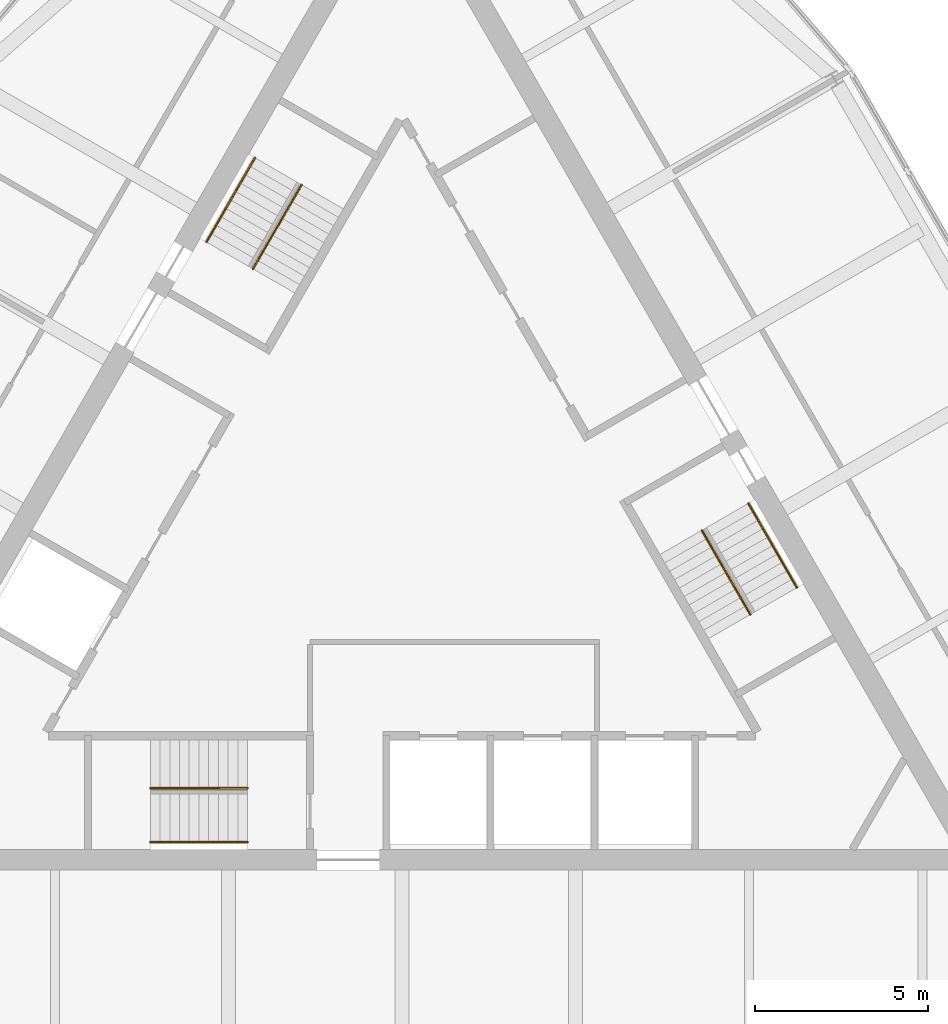
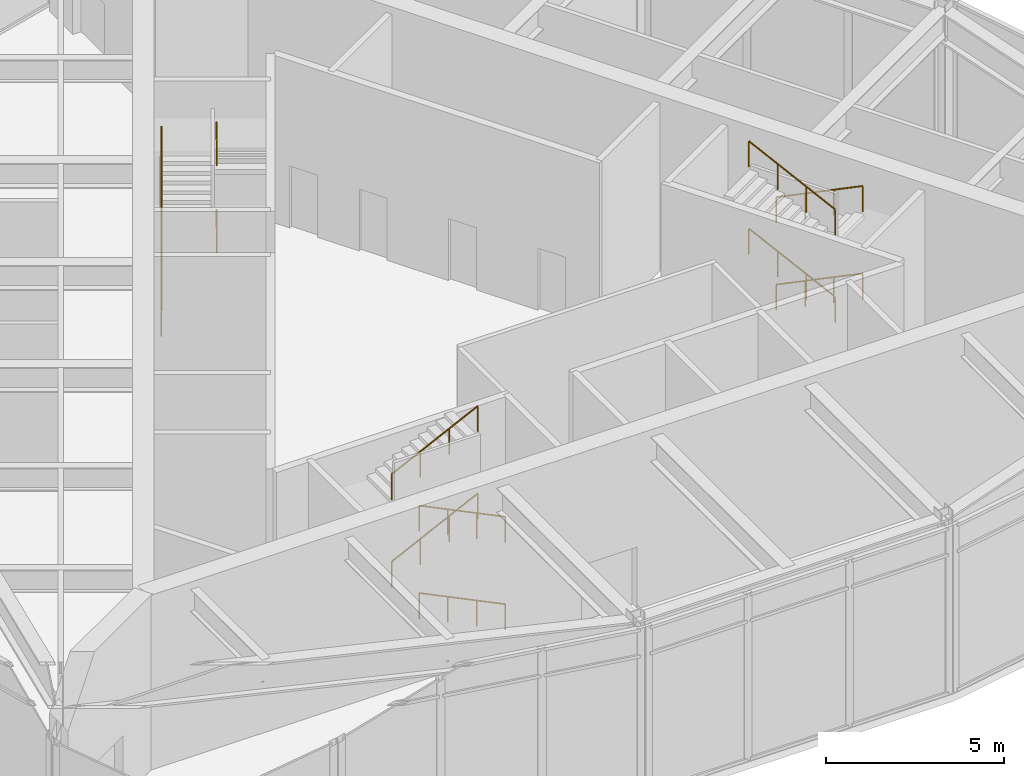
# One storey, part 9 of 9: 12 railings.
"""IFC4 building model written with IfcOpenShell, lengths in metres."""

from ifc_helpers import new_model, si_unit, direction, frame, origin, origin_2d, place, context, subcontext, project, spatial, circle, extrude, material, type_object, element, save


model = new_model("IFC4")

# Units and contexts
model_context = context("Model", 3, precision=1e-05, world=origin(), true_north=direction((0.0, 1.0)))
body_context = subcontext(model_context, "Body", "Model", "MODEL_VIEW")
ifc_project = project(units=[si_unit("LENGTHUNIT", "METRE"), si_unit("AREAUNIT", "SQUARE_METRE"), si_unit("VOLUMEUNIT", "CUBIC_METRE"), si_unit("PLANEANGLEUNIT", "RADIAN"), si_unit("MASSUNIT", "GRAM", prefix="KILO")], contexts=[model_context])

# Site, building, storey
site_placement = place(None, origin())
site = spatial("IfcSite", under=ifc_project, at=site_placement, CompositionType="ELEMENT")
building_placement = place(site_placement, origin())
building = spatial("IfcBuilding", under=site, at=building_placement, Name="Trikona Tower", CompositionType="ELEMENT")
storey_placement = place(building_placement, frame((0.0, 0.0, 286.800048828125)))
storey = spatial("IfcBuildingStorey", under=building, at=storey_placement, Name="L75", CompositionType="ELEMENT", Elevation=286.800048828125)

# Railings
ifc_material = material(Name="Stainless steel handrail", Category="steel")
railing_type = type_object("IfcRailingType", Name="Stair handrail", PredefinedType="HANDRAIL", material=ifc_material)
railing_1_placement = place(storey_placement, frame((-4.449951171875, -9.016357421875, 0.13623046875)))
element("IfcRailing", 1, at=railing_1_placement, inside=storey, type_object=railing_type, Name="Stair handrail A L75 1", PredefinedType="HANDRAIL", context=body_context, shape_type="SweptSolid", body=[
    extrude(circle(Radius=0.02392578125, at=origin_2d()), frame((0.0, 0.0, 0.8759765625), z_axis=(-0.899034972723, 0.0, 0.437876829508), x_axis=(0.0, -1.0, 0.0)), (0.0, 0.0, 1.0), 3.114501953125),
    extrude(circle(Radius=0.02099609375, at=origin_2d()), origin(), (0.0, 0.0, 1.0), 0.851806640625),
    extrude(circle(Radius=0.02099609375, at=origin_2d()), frame((-0.933349609375, 0.0, 0.45458984375)), (0.0, 0.0, 1.0), 0.851806640625),
    extrude(circle(Radius=0.02099609375, at=origin_2d()), frame((-1.86669921875, 0.0, 0.9091796875)), (0.0, 0.0, 1.0), 0.851806640625),
    extrude(circle(Radius=0.02099609375, at=origin_2d()), frame((-2.800048828125, 0.0, 1.36376953125)), (0.0, 0.0, 1.0), 0.851806640625),
])
railing_2_placement = place(storey_placement, frame((-7.25, -7.46630859375, 1.63623046875)))
element("IfcRailing", 2, at=railing_2_placement, inside=storey, type_object=railing_type, Name="Stair handrail A L75 2", PredefinedType="HANDRAIL", context=body_context, shape_type="SweptSolid", body=[
    extrude(circle(Radius=0.02392578125, at=origin_2d()), frame((0.0, 0.0, 0.8759765625), z_axis=(0.899034972723, 0.0, 0.437876829508), x_axis=(0.0, 1.0, 0.0)), (0.0, 0.0, 1.0), 3.114501953125),
    extrude(circle(Radius=0.02099609375, at=origin_2d()), origin(), (0.0, 0.0, 1.0), 0.851806640625),
    extrude(circle(Radius=0.02099609375, at=origin_2d()), frame((0.933349609375, 0.0, 0.45458984375)), (0.0, 0.0, 1.0), 0.851806640625),
    extrude(circle(Radius=0.02099609375, at=origin_2d()), frame((1.86669921875, 0.0, 0.9091796875)), (0.0, 0.0, 1.0), 0.851806640625),
    extrude(circle(Radius=0.02099609375, at=origin_2d()), frame((2.800048828125, 0.0, 1.36376953125)), (0.0, 0.0, 1.0), 0.851806640625),
])
railing_3_placement = place(storey_placement, frame((-4.449951171875, -9.016357421875, 3.13623046875)))
element("IfcRailing", 3, at=railing_3_placement, inside=storey, type_object=railing_type, Name="Stair handrail A L75 3", PredefinedType="HANDRAIL", context=body_context, shape_type="SweptSolid", body=[
    extrude(circle(Radius=0.02392578125, at=origin_2d()), frame((0.0, 0.0, 0.8759765625), z_axis=(-0.899034972723, 0.0, 0.437876829508), x_axis=(0.0, -1.0, 0.0)), (0.0, 0.0, 1.0), 3.114501953125),
    extrude(circle(Radius=0.02099609375, at=origin_2d()), origin(), (0.0, 0.0, 1.0), 0.851806640625),
    extrude(circle(Radius=0.02099609375, at=origin_2d()), frame((-0.933349609375, 0.0, 0.45458984375)), (0.0, 0.0, 1.0), 0.851806640625),
    extrude(circle(Radius=0.02099609375, at=origin_2d()), frame((-1.86669921875, 0.0, 0.9091796875)), (0.0, 0.0, 1.0), 0.851806640625),
    extrude(circle(Radius=0.02099609375, at=origin_2d()), frame((-2.800048828125, 0.0, 1.36376953125)), (0.0, 0.0, 1.0), 0.851806640625),
])
railing_4_placement = place(storey_placement, frame((-7.25, -7.46630859375, 4.63623046875)))
element("IfcRailing", 4, at=railing_4_placement, inside=storey, type_object=railing_type, Name="Stair handrail A L75 4", PredefinedType="HANDRAIL", context=body_context, shape_type="SweptSolid", body=[
    extrude(circle(Radius=0.02392578125, at=origin_2d()), frame((0.0, 0.0, 0.8759765625), z_axis=(0.899034972723, 0.0, 0.437876829508), x_axis=(0.0, 1.0, 0.0)), (0.0, 0.0, 1.0), 3.114501953125),
    extrude(circle(Radius=0.02099609375, at=origin_2d()), origin(), (0.0, 0.0, 1.0), 0.851806640625),
    extrude(circle(Radius=0.02099609375, at=origin_2d()), frame((0.933349609375, 0.0, 0.45458984375)), (0.0, 0.0, 1.0), 0.851806640625),
    extrude(circle(Radius=0.02099609375, at=origin_2d()), frame((1.86669921875, 0.0, 0.9091796875)), (0.0, 0.0, 1.0), 0.851806640625),
    extrude(circle(Radius=0.02099609375, at=origin_2d()), frame((2.800048828125, 0.0, 1.36376953125)), (0.0, 0.0, 1.0), 0.851806640625),
])
railing_5_placement = place(storey_placement, frame((9.9833984375, 0.740966796875, 0.13623046875)))
element("IfcRailing", 5, at=railing_5_placement, inside=storey, type_object=railing_type, Name="Stair handrail B L75 1", PredefinedType="HANDRAIL", context=body_context, shape_type="SweptSolid", body=[
    extrude(circle(Radius=0.02392578125, at=origin_2d()), frame((0.0, 0.0, 0.8759765625), z_axis=(0.449470995421, -0.778617962595, 0.437869721036), x_axis=(0.866056369097, 0.49994636267, 0.0)), (0.0, 0.0, 1.0), 3.114501953125),
    extrude(circle(Radius=0.02099609375, at=origin_2d()), origin(), (0.0, 0.0, 1.0), 0.851806640625),
    extrude(circle(Radius=0.02099609375, at=origin_2d()), frame((0.466552734375, -0.808349609375, 0.45458984375)), (0.0, 0.0, 1.0), 0.851806640625),
    extrude(circle(Radius=0.02099609375, at=origin_2d()), frame((0.933349609375, -1.61669921875, 0.9091796875)), (0.0, 0.0, 1.0), 0.851806640625),
    extrude(circle(Radius=0.02099609375, at=origin_2d()), frame((1.39990234375, -2.425048828125, 1.36376953125)), (0.0, 0.0, 1.0), 0.851806640625),
])
railing_6_placement = place(storey_placement, frame((10.041015625, -2.458984375, 1.63623046875)))
element("IfcRailing", 6, at=railing_6_placement, inside=storey, type_object=railing_type, Name="Stair handrail B L75 2", PredefinedType="HANDRAIL", context=body_context, shape_type="SweptSolid", body=[
    extrude(circle(Radius=0.02392578125, at=origin_2d()), frame((0.0, 0.0, 0.8759765625), z_axis=(-0.449470995421, 0.778617962595, 0.437869721036), x_axis=(-0.866056369097, -0.49994636267, 0.0)), (0.0, 0.0, 1.0), 3.114501953125),
    extrude(circle(Radius=0.02099609375, at=origin_2d()), origin(), (0.0, 0.0, 1.0), 0.851806640625),
    extrude(circle(Radius=0.02099609375, at=origin_2d()), frame((-0.466552734375, 0.808349609375, 0.45458984375)), (0.0, 0.0, 1.0), 0.851806640625),
    extrude(circle(Radius=0.02099609375, at=origin_2d()), frame((-0.933349609375, 1.61669921875, 0.9091796875)), (0.0, 0.0, 1.0), 0.851806640625),
    extrude(circle(Radius=0.02099609375, at=origin_2d()), frame((-1.39990234375, 2.425048828125, 1.36376953125)), (0.0, 0.0, 1.0), 0.851806640625),
])
railing_7_placement = place(storey_placement, frame((9.9833984375, 0.740966796875, 3.13623046875)))
element("IfcRailing", 7, at=railing_7_placement, inside=storey, type_object=railing_type, Name="Stair handrail B L75 3", PredefinedType="HANDRAIL", context=body_context, shape_type="SweptSolid", body=[
    extrude(circle(Radius=0.02392578125, at=origin_2d()), frame((0.0, 0.0, 0.8759765625), z_axis=(0.449470995421, -0.778617962595, 0.437869721036), x_axis=(0.866056369097, 0.49994636267, 0.0)), (0.0, 0.0, 1.0), 3.114501953125),
    extrude(circle(Radius=0.02099609375, at=origin_2d()), origin(), (0.0, 0.0, 1.0), 0.851806640625),
    extrude(circle(Radius=0.02099609375, at=origin_2d()), frame((0.466552734375, -0.808349609375, 0.45458984375)), (0.0, 0.0, 1.0), 0.851806640625),
    extrude(circle(Radius=0.02099609375, at=origin_2d()), frame((0.933349609375, -1.61669921875, 0.9091796875)), (0.0, 0.0, 1.0), 0.851806640625),
    extrude(circle(Radius=0.02099609375, at=origin_2d()), frame((1.39990234375, -2.425048828125, 1.36376953125)), (0.0, 0.0, 1.0), 0.851806640625),
])
railing_8_placement = place(storey_placement, frame((10.041015625, -2.458984375, 4.63623046875)))
element("IfcRailing", 8, at=railing_8_placement, inside=storey, type_object=railing_type, Name="Stair handrail B L75 4", PredefinedType="HANDRAIL", context=body_context, shape_type="SweptSolid", body=[
    extrude(circle(Radius=0.02392578125, at=origin_2d()), frame((0.0, 0.0, 0.8759765625), z_axis=(-0.449470995421, 0.778617962595, 0.437869721036), x_axis=(-0.866056369097, -0.49994636267, 0.0)), (0.0, 0.0, 1.0), 3.114501953125),
    extrude(circle(Radius=0.02099609375, at=origin_2d()), origin(), (0.0, 0.0, 1.0), 0.851806640625),
    extrude(circle(Radius=0.02099609375, at=origin_2d()), frame((-0.466552734375, 0.808349609375, 0.45458984375)), (0.0, 0.0, 1.0), 0.851806640625),
    extrude(circle(Radius=0.02099609375, at=origin_2d()), frame((-0.933349609375, 1.61669921875, 0.9091796875)), (0.0, 0.0, 1.0), 0.851806640625),
    extrude(circle(Radius=0.02099609375, at=origin_2d()), frame((-1.39990234375, 2.425048828125, 1.36376953125)), (0.0, 0.0, 1.0), 0.851806640625),
])
railing_9_placement = place(storey_placement, frame((-5.63330078125, 8.275390625, 0.13623046875)))
element("IfcRailing", 9, at=railing_9_placement, inside=storey, type_object=railing_type, Name="Stair handrail C L75 1", PredefinedType="HANDRAIL", context=body_context, shape_type="SweptSolid", body=[
    extrude(circle(Radius=0.02392578125, at=origin_2d()), frame((0.0, 0.0, 0.8759765625), z_axis=(0.449498429348, 0.778587094573, 0.437896446867), x_axis=(-0.866034573852, 0.49998411664, 0.0)), (0.0, 0.0, 1.0), 3.1142578125),
    extrude(circle(Radius=0.02099609375, at=origin_2d()), origin(), (0.0, 0.0, 1.0), 0.851806640625),
    extrude(circle(Radius=0.02099609375, at=origin_2d()), frame((0.466552734375, 0.808349609375, 0.45458984375)), (0.0, 0.0, 1.0), 0.851806640625),
    extrude(circle(Radius=0.02099609375, at=origin_2d()), frame((0.933349609375, 1.616455078125, 0.9091796875)), (0.0, 0.0, 1.0), 0.851806640625),
    extrude(circle(Radius=0.02099609375, at=origin_2d()), frame((1.39990234375, 2.4248046875, 1.36376953125)), (0.0, 0.0, 1.0), 0.851806640625),
])
railing_10_placement = place(storey_placement, frame((-2.89111328125, 9.92529296875, 1.63623046875)))
element("IfcRailing", 10, at=railing_10_placement, inside=storey, type_object=railing_type, Name="Stair handrail C L75 2", PredefinedType="HANDRAIL", context=body_context, shape_type="SweptSolid", body=[
    extrude(circle(Radius=0.02392578125, at=origin_2d()), frame((0.0, 0.0, 0.8759765625), z_axis=(-0.449470995421, -0.778617962595, 0.437869721036), x_axis=(0.866056369097, -0.49994636267, 0.0)), (0.0, 0.0, 1.0), 3.114501953125),
    extrude(circle(Radius=0.02099609375, at=origin_2d()), origin(), (0.0, 0.0, 1.0), 0.851806640625),
    extrude(circle(Radius=0.02099609375, at=origin_2d()), frame((-0.466552734375, -0.808349609375, 0.45458984375)), (0.0, 0.0, 1.0), 0.851806640625),
    extrude(circle(Radius=0.02099609375, at=origin_2d()), frame((-0.933349609375, -1.61669921875, 0.9091796875)), (0.0, 0.0, 1.0), 0.851806640625),
    extrude(circle(Radius=0.02099609375, at=origin_2d()), frame((-1.39990234375, -2.425048828125, 1.36376953125)), (0.0, 0.0, 1.0), 0.851806640625),
])
railing_11_placement = place(storey_placement, frame((-5.63330078125, 8.275390625, 3.13623046875)))
element("IfcRailing", 11, at=railing_11_placement, inside=storey, type_object=railing_type, Name="Stair handrail C L75 3", PredefinedType="HANDRAIL", context=body_context, shape_type="SweptSolid", body=[
    extrude(circle(Radius=0.02392578125, at=origin_2d()), frame((0.0, 0.0, 0.8759765625), z_axis=(0.449498429348, 0.778587094573, 0.437896446867), x_axis=(-0.866034573852, 0.49998411664, 0.0)), (0.0, 0.0, 1.0), 3.1142578125),
    extrude(circle(Radius=0.02099609375, at=origin_2d()), origin(), (0.0, 0.0, 1.0), 0.851806640625),
    extrude(circle(Radius=0.02099609375, at=origin_2d()), frame((0.466552734375, 0.808349609375, 0.45458984375)), (0.0, 0.0, 1.0), 0.851806640625),
    extrude(circle(Radius=0.02099609375, at=origin_2d()), frame((0.933349609375, 1.616455078125, 0.9091796875)), (0.0, 0.0, 1.0), 0.851806640625),
    extrude(circle(Radius=0.02099609375, at=origin_2d()), frame((1.39990234375, 2.4248046875, 1.36376953125)), (0.0, 0.0, 1.0), 0.851806640625),
])
railing_12_placement = place(storey_placement, frame((-2.89111328125, 9.92529296875, 4.63623046875)))
element("IfcRailing", 12, at=railing_12_placement, inside=storey, type_object=railing_type, Name="Stair handrail C L75 4", PredefinedType="HANDRAIL", context=body_context, shape_type="SweptSolid", body=[
    extrude(circle(Radius=0.02392578125, at=origin_2d()), frame((0.0, 0.0, 0.8759765625), z_axis=(-0.449470995421, -0.778617962595, 0.437869721036), x_axis=(0.866056369097, -0.49994636267, 0.0)), (0.0, 0.0, 1.0), 3.114501953125),
    extrude(circle(Radius=0.02099609375, at=origin_2d()), origin(), (0.0, 0.0, 1.0), 0.851806640625),
    extrude(circle(Radius=0.02099609375, at=origin_2d()), frame((-0.466552734375, -0.808349609375, 0.45458984375)), (0.0, 0.0, 1.0), 0.851806640625),
    extrude(circle(Radius=0.02099609375, at=origin_2d()), frame((-0.933349609375, -1.61669921875, 0.9091796875)), (0.0, 0.0, 1.0), 0.851806640625),
    extrude(circle(Radius=0.02099609375, at=origin_2d()), frame((-1.39990234375, -2.425048828125, 1.36376953125)), (0.0, 0.0, 1.0), 0.851806640625),
])

save(model, "model.ifc")
